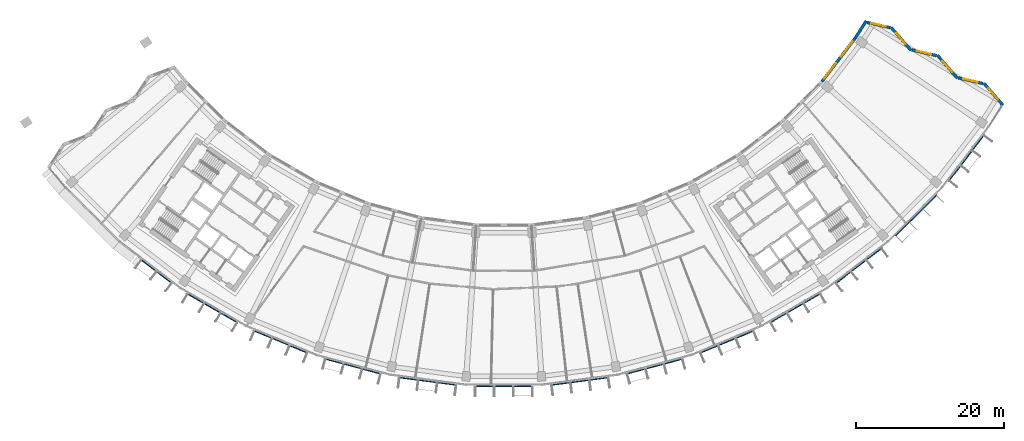
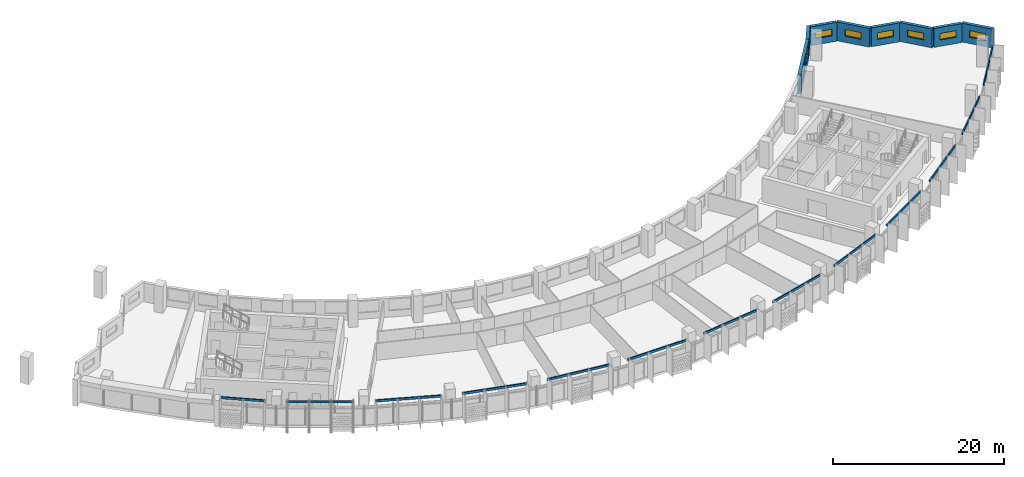
# One storey, part 8 of 27: 13 discrete accessories, 8 walls, 8 windows, 8 openings.
"""IFC4 building model written with IfcOpenShell, lengths in metres."""

import ifcopenshell
import ifcopenshell.guid

model = None  # the IFC model being written
_history = None  # IfcOwnerHistory: only IFC2X3 demands one
_inside = {}  # id of a spatial element -> (the spatial element, [elements in it])
_under = {}  # id of a project, library or spatial element -> (it, [spatial elements below it])
_declared = {}  # id of a project -> (the project, [libraries it declares])
_typed = {}  # id of a type object -> (the type object, [elements of that type])
_made_of = {}  # id of a material, layer set ... -> (it, [elements and type objects made of it])


def new_model(schema):
    """Start an empty IFC model of exactly this schema.

    Asked for "IFC4X3", IfcOpenShell would pick the latest addendum, in which some entities
    have other attributes; the version numbers below select the first issue.
    IFC2X3 requires an IfcOwnerHistory on every rooted entity: one is made here for all.
    """
    global model, _history
    if schema == "IFC4X3":
        model = ifcopenshell.file(schema_version=(4, 3, 0, 0))
    else:
        model = ifcopenshell.file(schema=schema)
    _inside.clear()
    _under.clear()
    _declared.clear()
    _typed.clear()
    _made_of.clear()
    _history = None
    if model.schema == "IFC2X3":
        org = make("IfcOrganization", Name="unknown")
        user = make(
            "IfcPersonAndOrganization",
            ThePerson=make("IfcPerson", FamilyName="unknown"),
            TheOrganization=org,
        )
        app = make(
            "IfcApplication",
            ApplicationDeveloper=org,
            Version="unknown",
            ApplicationFullName="unknown",
            ApplicationIdentifier="unknown",
        )
        _history = make(
            "IfcOwnerHistory",
            OwningUser=user,
            OwningApplication=app,
            ChangeAction="ADDED",
            CreationDate=0,
        )
    return model


def make(cls, **values):
    """One entity of the class cls with the attributes given. An attribute that is None is left unset."""
    return model.create_entity(
        cls, **{name: value for name, value in values.items() if value is not None}
    )


def rooted(cls, **values):
    """An entity with a GlobalId (a new one), such as an element, a storey or a relation."""
    return make(cls, GlobalId=ifcopenshell.guid.new(), OwnerHistory=_history, **values)


def si_unit(unit_type, name, prefix=None):
    """IfcSIUnit, for example si_unit("LENGTHUNIT", "METRE", prefix="MILLI")."""
    return make("IfcSIUnit", UnitType=unit_type, Prefix=prefix, Name=name)


def assignment(units):
    """IfcUnitAssignment: the units of a project."""
    return None if units is None else make("IfcUnitAssignment", Units=units)


def point(xyz):
    """IfcCartesianPoint."""
    return None if xyz is None else make("IfcCartesianPoint", Coordinates=xyz)


def direction(xyz):
    """IfcDirection."""
    return None if xyz is None else make("IfcDirection", DirectionRatios=xyz)


def frame(location, z_axis=None, x_axis=None):
    """IfcAxis2Placement3D, a coordinate frame: its origin and axes. An axis left out is left unset."""
    return make(
        "IfcAxis2Placement3D",
        Location=point(location),
        Axis=direction(z_axis),
        RefDirection=direction(x_axis),
    )


def frame_2d(location, x_axis=None):
    """IfcAxis2Placement2D, a coordinate frame in the plane: its origin and x axis."""
    return make(
        "IfcAxis2Placement2D", Location=point(location), RefDirection=direction(x_axis)
    )


def origin():
    """The frame at (0, 0, 0) with its axes left unset."""
    return frame((0.0, 0.0, 0.0))


def origin_2d():
    """The frame at (0, 0) in the plane with its x axis left unset."""
    return frame_2d((0.0, 0.0))


def place(relative_to, where):
    """IfcLocalPlacement: puts the frame where relative to a parent placement (None: the world)."""
    return make(
        "IfcLocalPlacement", PlacementRelTo=relative_to, RelativePlacement=where
    )


def context(
    kind, dimensions, precision=None, world=None, true_north=None, identifier=None
):
    """IfcGeometricRepresentationContext, for example the 3D "Model" context."""
    return make(
        "IfcGeometricRepresentationContext",
        ContextIdentifier=identifier,
        ContextType=kind,
        CoordinateSpaceDimension=dimensions,
        Precision=precision,
        WorldCoordinateSystem=world,
        TrueNorth=true_north,
    )


def subcontext(parent, identifier, kind, view, scale=None):
    """IfcGeometricRepresentationSubContext, for example "Body" below "Model"."""
    return make(
        "IfcGeometricRepresentationSubContext",
        ContextIdentifier=identifier,
        ContextType=kind,
        ParentContext=parent,
        TargetScale=scale,
        TargetView=view,
    )


def project(units=None, contexts=None):
    """IfcProject with its units and contexts."""
    return rooted(
        "IfcProject",
        Name="project",
        RepresentationContexts=contexts,
        UnitsInContext=assignment(units),
    )


def spatial(cls, under=None, at=None, **own):
    """A site, building, storey or space (cls), placed at a placement, below another one or the project."""
    s = rooted(cls, ObjectPlacement=at, **own)
    if under is not None:
        _under.setdefault(under.id(), (under, []))[1].append(s)
    return s


def profile(cls, at=None, kind="AREA", **sizes):
    """A parametric profile (cls). Its sizes go by their IFC names, for example OverallWidth=200.0."""
    return make(cls, ProfileType=kind, Position=at, **sizes)


def rectangle(**sizes):
    """IfcRectangleProfileDef."""
    return profile("IfcRectangleProfileDef", **sizes)


def extrude(swept, where, along, depth):
    """IfcExtrudedAreaSolid: the profile swept, set in the frame where, extruded along a direction by depth."""
    return make(
        "IfcExtrudedAreaSolid",
        SweptArea=swept,
        Position=where,
        ExtrudedDirection=direction(along),
        Depth=depth,
    )


def shape(context_of_items, identifier, shape_type, items):
    """IfcShapeRepresentation: the items that make up one representation, for example the "Body"."""
    return make(
        "IfcShapeRepresentation",
        ContextOfItems=context_of_items,
        RepresentationIdentifier=identifier,
        RepresentationType=shape_type,
        Items=items,
    )


def material(Name=None, Category=None):
    """IfcMaterial."""
    return make("IfcMaterial", Name=Name, Category=Category)


def layer(
    of_material, thickness, ventilated=None, Name=None, Category=None, Priority=None
):
    """IfcMaterialLayer: one layer of a wall or slab, of a material (None: an air gap)."""
    return make(
        "IfcMaterialLayer",
        Material=of_material,
        LayerThickness=thickness,
        IsVentilated=ventilated,
        Name=Name,
        Category=Category,
        Priority=Priority,
    )


def layer_set(layers, Name=None):
    """IfcMaterialLayerSet."""
    return make("IfcMaterialLayerSet", MaterialLayers=layers, LayerSetName=Name)


def made_of(thing, what):
    """Note that an element or type object is made of a material, layer set ...; save() writes the relation."""
    if what is not None:
        _made_of.setdefault(what.id(), (what, []))[1].append(thing)
    return thing


def type_object(cls, material=None, **own):
    """A type object (cls), such as IfcWallType, which elements share."""
    return made_of(rooted(cls, **own), material)


def element(
    cls,
    number,
    at=None,
    inside=None,
    cuts=None,
    type_object=None,
    material=None,
    context=None,
    identifier="Body",
    shape_type=None,
    held_by="IfcProductDefinitionShape",
    body=None,
    shapes=None,
    **own,
):
    """One element of the class cls, such as IfcWall. Its Tag is "e" and its number.

    at: its placement. inside: the storey or other place that contains it. cuts: it is an
    opening in that element (IfcRelVoidsElement). A single representation is given by context,
    identifier, shape_type and body (its items); several are given by shapes. held_by: the class
    of the entity that holds the representations. save() writes the other relations.
    """
    e = rooted(cls, Tag="e%d" % number, ObjectPlacement=at, **own)
    if body is not None:
        shapes = [shape(context, identifier, shape_type, body)]
    if shapes is not None:
        e.Representation = make(held_by, Representations=shapes)
    if inside is not None:
        _inside.setdefault(inside.id(), (inside, []))[1].append(e)
    if cuts is not None:
        rooted(
            "IfcRelVoidsElement", RelatingBuildingElement=cuts, RelatedOpeningElement=e
        )
    if type_object is not None:
        _typed.setdefault(type_object.id(), (type_object, []))[1].append(e)
    return made_of(e, material)


def fill(opening, filler):
    """IfcRelFillsElement: the door or window that sits in an opening."""
    return rooted(
        "IfcRelFillsElement",
        RelatingOpeningElement=opening,
        RelatedBuildingElement=filler,
    )


def aggregate(whole, parts):
    """IfcRelAggregates: a whole, such as a stair, and the parts it consists of."""
    return rooted("IfcRelAggregates", RelatingObject=whole, RelatedObjects=parts)


def save(model, path):
    """Write the relations noted so far, then the file.

    IfcRelAggregates (storeys below a building ...), IfcRelContainedInSpatialStructure (elements
    in a storey), IfcRelDefinesByType, IfcRelAssociatesMaterial and IfcRelDeclares: one each for
    every whole, place, type object, material and project.
    """
    for whole, parts in _under.values():
        aggregate(whole, parts)
    for where, things in _inside.values():
        rooted(
            "IfcRelContainedInSpatialStructure",
            RelatedElements=things,
            RelatingStructure=where,
        )
    for kind, things in _typed.values():
        rooted("IfcRelDefinesByType", RelatedObjects=things, RelatingType=kind)
    for what, things in _made_of.values():
        rooted("IfcRelAssociatesMaterial", RelatedObjects=things, RelatingMaterial=what)
    for by, libraries in _declared.values():
        rooted("IfcRelDeclares", RelatingContext=by, RelatedDefinitions=libraries)
    model.write(path)


model = new_model("IFC4")

# Units and contexts
model_context = context("Model", 3, precision=1e-05, world=origin(), true_north=direction((0.0, 1.0)))
body_context = subcontext(model_context, "Body", "Model", "MODEL_VIEW")
ifc_project = project(units=[si_unit("LENGTHUNIT", "METRE"), si_unit("AREAUNIT", "SQUARE_METRE"), si_unit("VOLUMEUNIT", "CUBIC_METRE"), si_unit("PLANEANGLEUNIT", "RADIAN"), si_unit("MASSUNIT", "GRAM", prefix="KILO")], contexts=[model_context])

# Site, building, storey
site_placement = place(None, origin())
site = spatial("IfcSite", under=ifc_project, at=site_placement, CompositionType="ELEMENT")
building_placement = place(site_placement, origin())
building = spatial("IfcBuilding", under=site, at=building_placement, Name="Qamariyya Broadcast Tower", CompositionType="ELEMENT")
storey_placement = place(building_placement, frame((0.0, 0.0, 194.89990234375)))
storey = spatial("IfcBuildingStorey", under=building, at=storey_placement, Name="L46", CompositionType="ELEMENT", Elevation=194.89990234375)

# Wall, opening, window
ifc_material_1 = material(Name="Terracotta", Category="masonry")
ifc_layer = layer(ifc_material_1, 0.39990234375)
ifc_layer_set = layer_set([ifc_layer], Name="Terracotta clad wall 400")
wall_type = type_object("IfcWallType", Name="Terracotta clad wall 400", PredefinedType="SOLIDWALL", material=ifc_layer_set)
wall_1_placement = place(storey_placement, frame((67.541259765625, -40.8583984375, 0.0), z_axis=(0.0, 0.0, 1.0), x_axis=(-0.654582077594, 0.755990941541, 0.0)))
wall_1 = element("IfcWall", 1, at=wall_1_placement, inside=storey, type_object=wall_type, Name="e-wl-L46-capE0", PredefinedType="SOLIDWALL", context=body_context, shape_type="SweptSolid", body=[
    extrude(rectangle(XDim=3.921875, YDim=0.39990234375, at=frame_2d((1.9609375, 0.0))), origin(), (0.0, 0.0, 1.0), 2.7001953125),
])
opening_1_placement = place(wall_1_placement, frame((0.9609375, 0.0, 0.89990234375)))
opening_1 = element("IfcOpeningElement", 2, at=opening_1_placement, cuts=wall_1, Name="Opening W4", PredefinedType="OPENING", context=body_context, shape_type="SweptSolid", body=[
    extrude(rectangle(XDim=2.0, YDim=0.949951171875, at=frame_2d((1.0, 0.47509765625))), frame((0.0, 0.2099609375, 0.0), z_axis=(0.0, -1.0, 0.0), x_axis=(1.0, 0.0, 0.0)), (0.0, 0.0, 1.0), 0.419921875),
])
ifc_material_2 = material(Name="Clear low-e double glazed unit in aluminium frame", Category="aluminium")
window_type_1 = type_object("IfcWindowType", Name="Horn bay window 2000 x 950", PartitioningType="SINGLE_PANEL", PredefinedType="WINDOW", material=ifc_material_2)
window_1_placement = place(opening_1_placement, origin())
window_1 = element("IfcWindow", 3, at=window_1_placement, inside=storey, type_object=window_type_1, Name="e-w-L46-capE0", OverallHeight=0.949951171875, OverallWidth=2.0, PartitioningType="SINGLE_PANEL", PredefinedType="WINDOW", context=body_context, shape_type="SweptSolid", body=[
    extrude(rectangle(XDim=2.0, YDim=0.949951171875, at=frame_2d((1.0, 0.47509765625))), frame((0.0, 0.030029296875, 0.0), z_axis=(0.0, -1.0, 0.0), x_axis=(1.0, 0.0, 0.0)), (0.0, 0.0, 1.0), 0.06005859375),
])
fill(opening_1, window_1)

wall_2_placement = place(storey_placement, frame((64.843505859375, -37.9365234375, 0.0), z_axis=(0.0, 0.0, 1.0), x_axis=(-0.97489172823, 0.222679406836, 0.0)))
wall_2 = element("IfcWall", 4, at=wall_2_placement, inside=storey, type_object=wall_type, Name="e-wl-L46-capE1", PredefinedType="SOLIDWALL", context=body_context, shape_type="SweptSolid", body=[
    extrude(rectangle(XDim=3.419677734375, YDim=0.39990234375, at=frame_2d((1.7099609375, 0.0))), origin(), (0.0, 0.0, 1.0), 2.7001953125),
])
opening_2_placement = place(wall_2_placement, frame((0.709716796875, 0.0, 0.89990234375)))
opening_2 = element("IfcOpeningElement", 5, at=opening_2_placement, cuts=wall_2, Name="Opening W4", PredefinedType="OPENING", context=body_context, shape_type="SweptSolid", body=[
    extrude(rectangle(XDim=2.0, YDim=0.949951171875, at=frame_2d((1.0, 0.47509765625))), frame((0.0, 0.2099609375, 0.0), z_axis=(0.0, -1.0, 0.0), x_axis=(1.0, 0.0, 0.0)), (0.0, 0.0, 1.0), 0.419921875),
])
window_2_placement = place(opening_2_placement, origin())
window_2 = element("IfcWindow", 6, at=window_2_placement, inside=storey, type_object=window_type_1, Name="e-w-L46-capE1", OverallHeight=0.949951171875, OverallWidth=2.0, PartitioningType="SINGLE_PANEL", PredefinedType="WINDOW", context=body_context, shape_type="SweptSolid", body=[
    extrude(rectangle(XDim=2.0, YDim=0.949951171875, at=frame_2d((1.0, 0.47509765625))), frame((0.0, 0.030029296875, 0.0), z_axis=(0.0, -1.0, 0.0), x_axis=(1.0, 0.0, 0.0)), (0.0, 0.0, 1.0), 0.06005859375),
])
fill(opening_2, window_2)

wall_3_placement = place(storey_placement, frame((61.379150390625, -37.218017578125, 0.0), z_axis=(0.0, 0.0, 1.0), x_axis=(-0.65465899761, 0.755924332753, 0.0)))
wall_3 = element("IfcWall", 7, at=wall_3_placement, inside=storey, type_object=wall_type, Name="e-wl-L46-capE2", PredefinedType="SOLIDWALL", context=body_context, shape_type="SweptSolid", body=[
    extrude(rectangle(XDim=4.108154296875, YDim=0.39990234375, at=frame_2d((2.05419921875, 0.0))), origin(), (0.0, 0.0, 1.0), 2.7001953125),
])
opening_3_placement = place(wall_3_placement, frame((1.053955078125, 0.0, 0.89990234375)))
opening_3 = element("IfcOpeningElement", 8, at=opening_3_placement, cuts=wall_3, Name="Opening W4", PredefinedType="OPENING", context=body_context, shape_type="SweptSolid", body=[
    extrude(rectangle(XDim=2.0, YDim=0.949951171875, at=frame_2d((1.0, 0.47509765625))), frame((0.0, 0.2099609375, 0.0), z_axis=(0.0, -1.0, 0.0), x_axis=(1.0, 0.0, 0.0)), (0.0, 0.0, 1.0), 0.419921875),
])
window_3_placement = place(opening_3_placement, origin())
window_3 = element("IfcWindow", 9, at=window_3_placement, inside=storey, type_object=window_type_1, Name="e-w-L46-capE2", OverallHeight=0.949951171875, OverallWidth=2.0, PartitioningType="SINGLE_PANEL", PredefinedType="WINDOW", context=body_context, shape_type="SweptSolid", body=[
    extrude(rectangle(XDim=2.0, YDim=0.949951171875, at=frame_2d((1.0, 0.47509765625))), frame((0.0, 0.030029296875, 0.0), z_axis=(0.0, -1.0, 0.0), x_axis=(1.0, 0.0, 0.0)), (0.0, 0.0, 1.0), 0.06005859375),
])
fill(opening_3, window_3)

wall_4_placement = place(storey_placement, frame((58.558837890625, -34.155517578125, 0.0), z_axis=(0.0, 0.0, 1.0), x_axis=(-0.974908567781, 0.222605670337, 0.0)))
wall_4 = element("IfcWall", 10, at=wall_4_placement, inside=storey, type_object=wall_type, Name="e-wl-L46-capE3", PredefinedType="SOLIDWALL", context=body_context, shape_type="SweptSolid", body=[
    extrude(rectangle(XDim=3.41845703125, YDim=0.39990234375, at=frame_2d((1.709228515625, 0.0))), origin(), (0.0, 0.0, 1.0), 2.7001953125),
])
opening_4_placement = place(wall_4_placement, frame((0.709228515625, 0.0, 0.89990234375)))
opening_4 = element("IfcOpeningElement", 11, at=opening_4_placement, cuts=wall_4, Name="Opening W4", PredefinedType="OPENING", context=body_context, shape_type="SweptSolid", body=[
    extrude(rectangle(XDim=2.0, YDim=0.949951171875, at=frame_2d((1.0, 0.47509765625))), frame((0.0, 0.2099609375, 0.0), z_axis=(0.0, -1.0, 0.0), x_axis=(1.0, 0.0, 0.0)), (0.0, 0.0, 1.0), 0.419921875),
])
window_4_placement = place(opening_4_placement, origin())
window_4 = element("IfcWindow", 12, at=window_4_placement, inside=storey, type_object=window_type_1, Name="e-w-L46-capE3", OverallHeight=0.949951171875, OverallWidth=2.0, PartitioningType="SINGLE_PANEL", PredefinedType="WINDOW", context=body_context, shape_type="SweptSolid", body=[
    extrude(rectangle(XDim=2.0, YDim=0.949951171875, at=frame_2d((1.0, 0.47509765625))), frame((0.0, 0.030029296875, 0.0), z_axis=(0.0, -1.0, 0.0), x_axis=(1.0, 0.0, 0.0)), (0.0, 0.0, 1.0), 0.06005859375),
])
fill(opening_4, window_4)

wall_5_placement = place(storey_placement, frame((55.095458984375, -33.437255859375, 0.0), z_axis=(0.0, 0.0, 1.0), x_axis=(-0.654769932663, 0.755828244564, 0.0)))
wall_5 = element("IfcWall", 13, at=wall_5_placement, inside=storey, type_object=wall_type, Name="e-wl-L46-capE4", PredefinedType="SOLIDWALL", context=body_context, shape_type="SweptSolid", body=[
    extrude(rectangle(XDim=4.109375, YDim=0.39990234375, at=frame_2d((2.0546875, 0.0))), origin(), (0.0, 0.0, 1.0), 2.7001953125),
])
opening_5_placement = place(wall_5_placement, frame((1.0546875, 0.0, 0.89990234375)))
opening_5 = element("IfcOpeningElement", 14, at=opening_5_placement, cuts=wall_5, Name="Opening W4", PredefinedType="OPENING", context=body_context, shape_type="SweptSolid", body=[
    extrude(rectangle(XDim=2.0, YDim=0.949951171875, at=frame_2d((1.0, 0.47509765625))), frame((0.0, 0.2099609375, 0.0), z_axis=(0.0, -1.0, 0.0), x_axis=(1.0, 0.0, 0.0)), (0.0, 0.0, 1.0), 0.419921875),
])
window_5_placement = place(opening_5_placement, origin())
window_5 = element("IfcWindow", 15, at=window_5_placement, inside=storey, type_object=window_type_1, Name="e-w-L46-capE4", OverallHeight=0.949951171875, OverallWidth=2.0, PartitioningType="SINGLE_PANEL", PredefinedType="WINDOW", context=body_context, shape_type="SweptSolid", body=[
    extrude(rectangle(XDim=2.0, YDim=0.949951171875, at=frame_2d((1.0, 0.47509765625))), frame((0.0, 0.030029296875, 0.0), z_axis=(0.0, -1.0, 0.0), x_axis=(1.0, 0.0, 0.0)), (0.0, 0.0, 1.0), 0.06005859375),
])
fill(opening_5, window_5)

wall_6_placement = place(storey_placement, frame((52.274169921875, -30.374267578125, 0.0), z_axis=(0.0, 0.0, 1.0), x_axis=(-0.974920060203, 0.222555332926, 0.0)))
wall_6 = element("IfcWall", 16, at=wall_6_placement, inside=storey, type_object=wall_type, Name="e-wl-L46-capE5", PredefinedType="SOLIDWALL", context=body_context, shape_type="SweptSolid", body=[
    extrude(rectangle(XDim=3.173583984375, YDim=0.39990234375, at=frame_2d((1.5869140625, 0.0))), origin(), (0.0, 0.0, 1.0), 2.7001953125),
])
opening_6_placement = place(wall_6_placement, frame((0.586669921875, 0.0, 0.89990234375)))
opening_6 = element("IfcOpeningElement", 17, at=opening_6_placement, cuts=wall_6, Name="Opening W4", PredefinedType="OPENING", context=body_context, shape_type="SweptSolid", body=[
    extrude(rectangle(XDim=2.0, YDim=0.949951171875, at=frame_2d((1.0, 0.47509765625))), frame((0.0, 0.2099609375, 0.0), z_axis=(0.0, -1.0, 0.0), x_axis=(1.0, 0.0, 0.0)), (0.0, 0.0, 1.0), 0.419921875),
])
window_6_placement = place(opening_6_placement, origin())
window_6 = element("IfcWindow", 18, at=window_6_placement, inside=storey, type_object=window_type_1, Name="e-w-L46-capE5", OverallHeight=0.949951171875, OverallWidth=2.0, PartitioningType="SINGLE_PANEL", PredefinedType="WINDOW", context=body_context, shape_type="SweptSolid", body=[
    extrude(rectangle(XDim=2.0, YDim=0.949951171875, at=frame_2d((1.0, 0.47509765625))), frame((0.0, 0.030029296875, 0.0), z_axis=(0.0, -1.0, 0.0), x_axis=(1.0, 0.0, 0.0)), (0.0, 0.0, 1.0), 0.06005859375),
])
fill(opening_6, window_6)

# Wall, openings, windows
wall_7_placement = place(storey_placement, frame((47.5380859375, -31.80810546875, 0.0), z_axis=(0.0, 0.0, 1.0), x_axis=(-0.608780127273, -0.793338992258, 0.0)))
wall_7 = element("IfcWall", 19, at=wall_7_placement, inside=storey, type_object=wall_type, Name="e-wl-L46-in140", PredefinedType="SOLIDWALL", context=body_context, shape_type="SweptSolid", body=[
    extrude(rectangle(XDim=7.39453125, YDim=0.39990234375, at=frame_2d((3.697265625, 0.0))), origin(), (0.0, 0.0, 1.0), 2.7001953125),
])
opening_7_placement = place(wall_7_placement, frame((4.268310546875, 0.0, 0.89990234375)))
opening_7 = element("IfcOpeningElement", 20, at=opening_7_placement, cuts=wall_7, Name="Opening W1", PredefinedType="OPENING", context=body_context, shape_type="SweptSolid", body=[
    extrude(rectangle(XDim=2.60009765625, YDim=1.64990234375, at=frame_2d((1.300048828125, 0.824951171875))), frame((0.0, 0.2099609375, 0.0), z_axis=(0.0, -1.0, 0.0), x_axis=(1.0, 0.0, 0.0)), (0.0, 0.0, 1.0), 0.419921875),
])
opening_8_placement = place(wall_7_placement, frame((0.540283203125, 0.0, 0.89990234375)))
opening_8 = element("IfcOpeningElement", 21, at=opening_8_placement, cuts=wall_7, Name="Opening W1", PredefinedType="OPENING", context=body_context, shape_type="SweptSolid", body=[
    extrude(rectangle(XDim=2.60009765625, YDim=1.64990234375, at=frame_2d((1.300048828125, 0.824951171875))), frame((0.0, 0.2099609375, 0.0), z_axis=(0.0, -1.0, 0.0), x_axis=(1.0, 0.0, 0.0)), (0.0, 0.0, 1.0), 0.419921875),
])
window_type_2 = type_object("IfcWindowType", Name="Ribbon window 2600 x 1650", PartitioningType="SINGLE_PANEL", PredefinedType="WINDOW", material=ifc_material_2)
window_7_placement = place(opening_7_placement, origin())
window_7 = element("IfcWindow", 22, at=window_7_placement, inside=storey, type_object=window_type_2, Name="e-w-L46-in14-0", OverallHeight=1.64990234375, OverallWidth=2.60009765625, PartitioningType="SINGLE_PANEL", PredefinedType="WINDOW", context=body_context, shape_type="SweptSolid", body=[
    extrude(rectangle(XDim=2.60009765625, YDim=1.64990234375, at=frame_2d((1.300048828125, 0.824951171875))), frame((0.0, 0.030029296875, 0.0), z_axis=(0.0, -1.0, 0.0), x_axis=(1.0, 0.0, 0.0)), (0.0, 0.0, 1.0), 0.06005859375),
])
fill(opening_7, window_7)
window_8_placement = place(opening_8_placement, origin())
window_8 = element("IfcWindow", 23, at=window_8_placement, inside=storey, type_object=window_type_2, Name="e-w-L46-in14-1", OverallHeight=1.64990234375, OverallWidth=2.60009765625, PartitioningType="SINGLE_PANEL", PredefinedType="WINDOW", context=body_context, shape_type="SweptSolid", body=[
    extrude(rectangle(XDim=2.60009765625, YDim=1.64990234375, at=frame_2d((1.300048828125, 0.824951171875))), frame((0.0, 0.030029296875, 0.0), z_axis=(0.0, -1.0, 0.0), x_axis=(1.0, 0.0, 0.0)), (0.0, 0.0, 1.0), 0.06005859375),
])
fill(opening_8, window_8)

# Wall
wall_8_placement = place(storey_placement, frame((49.036376953125, -29.45166015625, 0.0), z_axis=(0.0, 0.0, 1.0), x_axis=(-0.535696584019, -0.844410545807, 0.0)))
element("IfcWall", 24, at=wall_8_placement, inside=storey, type_object=wall_type, Name="e-wl-L46-in150", PredefinedType="SOLIDWALL", context=body_context, shape_type="SweptSolid", body=[
    extrude(rectangle(XDim=2.775146484375, YDim=0.39990234375, at=frame_2d((1.3876953125, 0.0))), origin(), (0.0, 0.0, 1.0), 2.7001953125),
])

# Discrete accessories
ifc_material_3 = material(Name="Stainless steel 316", Category="steel")
discrete_accessory_type = type_object("IfcDiscreteAccessoryType", Name="Slab edge fixing angle, stainless steel", PredefinedType="BRACKET", material=ifc_material_3)
discrete_accessory_placement = place(storey_placement, frame((-47.010009765625, -63.386474609375, 3.30029296875), z_axis=(0.0, 0.0, 1.0), x_axis=(0.793353340291, -0.608761429009, 0.0)))
element("IfcDiscreteAccessory", 25, at=discrete_accessory_placement, inside=storey, type_object=discrete_accessory_type, Name="e-br-L46-02-0", PredefinedType="BRACKET", context=body_context, shape_type="SweptSolid", body=[
    extrude(rectangle(XDim=5.266845703125, YDim=0.14990234375, at=origin_2d()), origin(), (0.0, 0.0, 1.0), 0.300048828125),
])
for number, where, z_axis, x_axis, name in (
    (26, (-39.452880859375, -68.33447265625, 3.30029296875), (0.0, 0.0, 1.0), (0.866025403784, -0.5, 0.0), "e-br-L46-03-0"),
    (27, (-30.196044921875, -72.8994140625, 3.30029296875), (0.0, 0.0, 1.0), (0.923879532511, -0.382683432365, 0.0), "e-br-L46-04-0"),
    (28, (-20.42236328125, -76.21728515625, 3.30029296875), (0.0, 0.0, 1.0), (0.965925826289, -0.258819045103, 0.0), "e-br-L46-05-0"),
    (29, (-10.29931640625, -78.230712890625, 3.30029296875), (0.0, 0.0, 1.0), (0.991444861374, -0.13052619222, 0.0), "e-br-L46-06-0"),
    (30, (0.0, -78.90576171875, 3.30029296875), (0.0, 0.0, 1.0), (1.0, 0.0, 0.0), "e-br-L46-07-0"),
    (31, (10.29931640625, -78.230712890625, 3.30029296875), (0.0, 0.0, 1.0), (0.991444861374, 0.13052619222, 0.0), "e-br-L46-08-0"),
    (32, (20.42236328125, -76.21728515625, 3.30029296875), (0.0, 0.0, 1.0), (0.965925826289, 0.258819045103, 0.0), "e-br-L46-09-0"),
    (33, (30.196044921875, -72.8994140625, 3.30029296875), (0.0, 0.0, 1.0), (0.923879532511, 0.382683432365, 0.0), "e-br-L46-10-0"),
    (34, (39.452880859375, -68.33447265625, 3.30029296875), (0.0, 0.0, 1.0), (0.866025403784, 0.5, 0.0), "e-br-L46-11-0"),
    (35, (48.034912109375, -62.600341796875, 3.30029296875), (0.0, 0.0, 1.0), (0.793353340291, 0.608761429009, 0.0), "e-br-L46-12-0"),
    (36, (55.794921875, -55.794921875, 3.30029296875), (0.0, 0.0, 1.0), (0.707106781187, 0.707106781187, 0.0), "e-br-L46-13-0"),
    (37, (62.600341796875, -48.034912109375, 3.30029296875), (0.0, 0.0, 1.0), (0.608761429009, 0.793353340291, 0.0), "e-br-L46-14-0"),
):
    element("IfcDiscreteAccessory", number, at=place(storey_placement, frame(where, z_axis=z_axis, x_axis=x_axis)), inside=storey, type_object=discrete_accessory_type, Name=name, PredefinedType="BRACKET", context=body_context, shape_type="SweptSolid", body=[
        extrude(rectangle(XDim=7.850341796875, YDim=0.14990234375, at=origin_2d()), origin(), (0.0, 0.0, 1.0), 0.300048828125),
    ])

save(model, "model.ifc")
